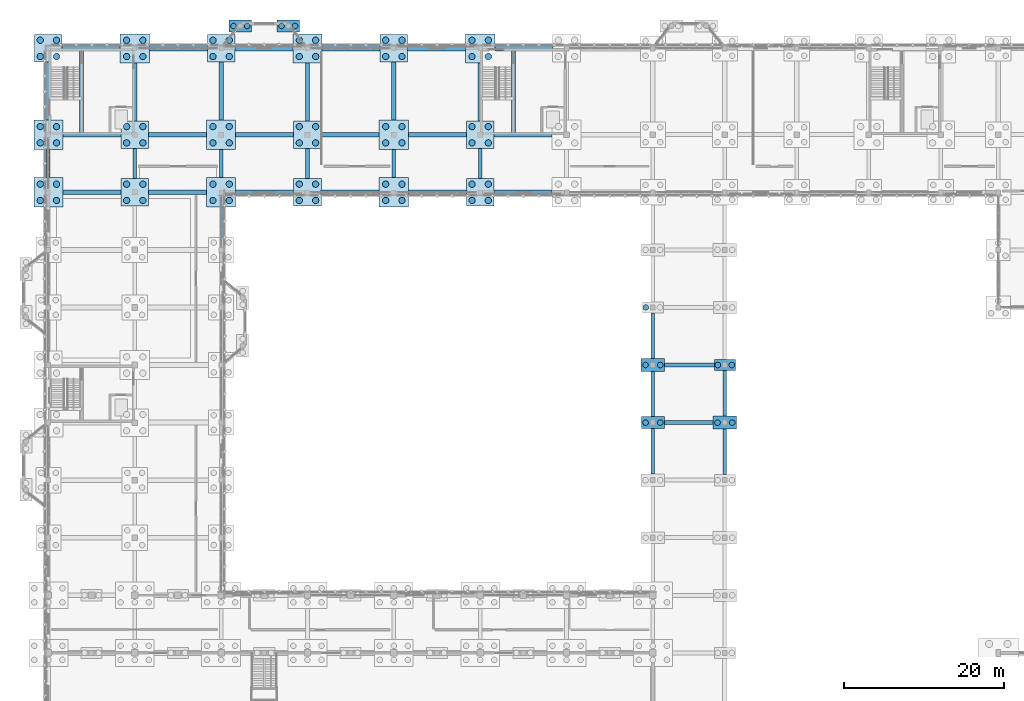
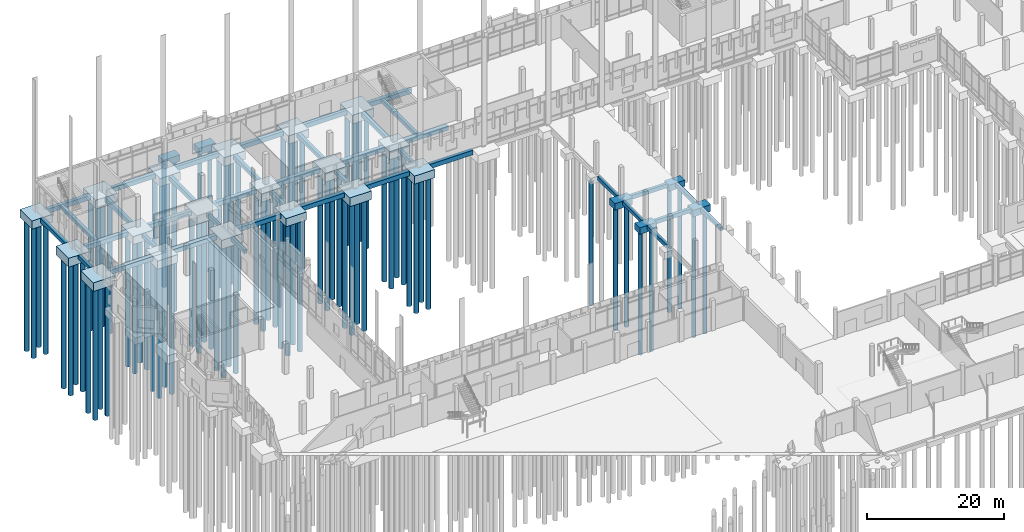
# One storey, part 5 of 109: 85 piles, 64 footings.
"""IFC4 building model written with IfcOpenShell, lengths in metres."""

import ifcopenshell
import ifcopenshell.guid

model = None  # the IFC model being written
_history = None  # IfcOwnerHistory: only IFC2X3 demands one
_inside = {}  # id of a spatial element -> (the spatial element, [elements in it])
_under = {}  # id of a project, library or spatial element -> (it, [spatial elements below it])
_declared = {}  # id of a project -> (the project, [libraries it declares])
_typed = {}  # id of a type object -> (the type object, [elements of that type])
_made_of = {}  # id of a material, layer set ... -> (it, [elements and type objects made of it])


def new_model(schema):
    """Start an empty IFC model of exactly this schema.

    Asked for "IFC4X3", IfcOpenShell would pick the latest addendum, in which some entities
    have other attributes; the version numbers below select the first issue.
    IFC2X3 requires an IfcOwnerHistory on every rooted entity: one is made here for all.
    """
    global model, _history
    if schema == "IFC4X3":
        model = ifcopenshell.file(schema_version=(4, 3, 0, 0))
    else:
        model = ifcopenshell.file(schema=schema)
    _inside.clear()
    _under.clear()
    _declared.clear()
    _typed.clear()
    _made_of.clear()
    _history = None
    if model.schema == "IFC2X3":
        org = make("IfcOrganization", Name="unknown")
        user = make(
            "IfcPersonAndOrganization",
            ThePerson=make("IfcPerson", FamilyName="unknown"),
            TheOrganization=org,
        )
        app = make(
            "IfcApplication",
            ApplicationDeveloper=org,
            Version="unknown",
            ApplicationFullName="unknown",
            ApplicationIdentifier="unknown",
        )
        _history = make(
            "IfcOwnerHistory",
            OwningUser=user,
            OwningApplication=app,
            ChangeAction="ADDED",
            CreationDate=0,
        )
    return model


def make(cls, **values):
    """One entity of the class cls with the attributes given. An attribute that is None is left unset."""
    return model.create_entity(
        cls, **{name: value for name, value in values.items() if value is not None}
    )


def rooted(cls, **values):
    """An entity with a GlobalId (a new one), such as an element, a storey or a relation."""
    return make(cls, GlobalId=ifcopenshell.guid.new(), OwnerHistory=_history, **values)


def si_unit(unit_type, name, prefix=None):
    """IfcSIUnit, for example si_unit("LENGTHUNIT", "METRE", prefix="MILLI")."""
    return make("IfcSIUnit", UnitType=unit_type, Prefix=prefix, Name=name)


def assignment(units):
    """IfcUnitAssignment: the units of a project."""
    return None if units is None else make("IfcUnitAssignment", Units=units)


def point(xyz):
    """IfcCartesianPoint."""
    return None if xyz is None else make("IfcCartesianPoint", Coordinates=xyz)


def direction(xyz):
    """IfcDirection."""
    return None if xyz is None else make("IfcDirection", DirectionRatios=xyz)


def frame(location, z_axis=None, x_axis=None):
    """IfcAxis2Placement3D, a coordinate frame: its origin and axes. An axis left out is left unset."""
    return make(
        "IfcAxis2Placement3D",
        Location=point(location),
        Axis=direction(z_axis),
        RefDirection=direction(x_axis),
    )


def frame_2d(location, x_axis=None):
    """IfcAxis2Placement2D, a coordinate frame in the plane: its origin and x axis."""
    return make(
        "IfcAxis2Placement2D", Location=point(location), RefDirection=direction(x_axis)
    )


def origin():
    """The frame at (0, 0, 0) with its axes left unset."""
    return frame((0.0, 0.0, 0.0))


def origin_2d():
    """The frame at (0, 0) in the plane with its x axis left unset."""
    return frame_2d((0.0, 0.0))


def place(relative_to, where):
    """IfcLocalPlacement: puts the frame where relative to a parent placement (None: the world)."""
    return make(
        "IfcLocalPlacement", PlacementRelTo=relative_to, RelativePlacement=where
    )


def context(
    kind, dimensions, precision=None, world=None, true_north=None, identifier=None
):
    """IfcGeometricRepresentationContext, for example the 3D "Model" context."""
    return make(
        "IfcGeometricRepresentationContext",
        ContextIdentifier=identifier,
        ContextType=kind,
        CoordinateSpaceDimension=dimensions,
        Precision=precision,
        WorldCoordinateSystem=world,
        TrueNorth=true_north,
    )


def subcontext(parent, identifier, kind, view, scale=None):
    """IfcGeometricRepresentationSubContext, for example "Body" below "Model"."""
    return make(
        "IfcGeometricRepresentationSubContext",
        ContextIdentifier=identifier,
        ContextType=kind,
        ParentContext=parent,
        TargetScale=scale,
        TargetView=view,
    )


def project(units=None, contexts=None):
    """IfcProject with its units and contexts."""
    return rooted(
        "IfcProject",
        Name="project",
        RepresentationContexts=contexts,
        UnitsInContext=assignment(units),
    )


def spatial(cls, under=None, at=None, **own):
    """A site, building, storey or space (cls), placed at a placement, below another one or the project."""
    s = rooted(cls, ObjectPlacement=at, **own)
    if under is not None:
        _under.setdefault(under.id(), (under, []))[1].append(s)
    return s


def profile(cls, at=None, kind="AREA", **sizes):
    """A parametric profile (cls). Its sizes go by their IFC names, for example OverallWidth=200.0."""
    return make(cls, ProfileType=kind, Position=at, **sizes)


def rectangle(**sizes):
    """IfcRectangleProfileDef."""
    return profile("IfcRectangleProfileDef", **sizes)


def circle(**sizes):
    """IfcCircleProfileDef."""
    return profile("IfcCircleProfileDef", **sizes)


def extrude(swept, where, along, depth):
    """IfcExtrudedAreaSolid: the profile swept, set in the frame where, extruded along a direction by depth."""
    return make(
        "IfcExtrudedAreaSolid",
        SweptArea=swept,
        Position=where,
        ExtrudedDirection=direction(along),
        Depth=depth,
    )


def shape(context_of_items, identifier, shape_type, items):
    """IfcShapeRepresentation: the items that make up one representation, for example the "Body"."""
    return make(
        "IfcShapeRepresentation",
        ContextOfItems=context_of_items,
        RepresentationIdentifier=identifier,
        RepresentationType=shape_type,
        Items=items,
    )


def material(Name=None, Category=None):
    """IfcMaterial."""
    return make("IfcMaterial", Name=Name, Category=Category)


def material_profile(
    of_material, cross_section, Name=None, Category=None, Priority=None
):
    """IfcMaterialProfile: a cross section and its material."""
    return make(
        "IfcMaterialProfile",
        Name=Name,
        Material=of_material,
        Profile=cross_section,
        Priority=Priority,
        Category=Category,
    )


def profile_set(profiles, Name=None, composite=None):
    """IfcMaterialProfileSet."""
    return make(
        "IfcMaterialProfileSet",
        Name=Name,
        MaterialProfiles=profiles,
        CompositeProfile=composite,
    )


def made_of(thing, what):
    """Note that an element or type object is made of a material, layer set ...; save() writes the relation."""
    if what is not None:
        _made_of.setdefault(what.id(), (what, []))[1].append(thing)
    return thing


def type_object(cls, material=None, **own):
    """A type object (cls), such as IfcWallType, which elements share."""
    return made_of(rooted(cls, **own), material)


def element(
    cls,
    number,
    at=None,
    inside=None,
    cuts=None,
    type_object=None,
    material=None,
    context=None,
    identifier="Body",
    shape_type=None,
    held_by="IfcProductDefinitionShape",
    body=None,
    shapes=None,
    **own,
):
    """One element of the class cls, such as IfcWall. Its Tag is "e" and its number.

    at: its placement. inside: the storey or other place that contains it. cuts: it is an
    opening in that element (IfcRelVoidsElement). A single representation is given by context,
    identifier, shape_type and body (its items); several are given by shapes. held_by: the class
    of the entity that holds the representations. save() writes the other relations.
    """
    e = rooted(cls, Tag="e%d" % number, ObjectPlacement=at, **own)
    if body is not None:
        shapes = [shape(context, identifier, shape_type, body)]
    if shapes is not None:
        e.Representation = make(held_by, Representations=shapes)
    if inside is not None:
        _inside.setdefault(inside.id(), (inside, []))[1].append(e)
    if cuts is not None:
        rooted(
            "IfcRelVoidsElement", RelatingBuildingElement=cuts, RelatedOpeningElement=e
        )
    if type_object is not None:
        _typed.setdefault(type_object.id(), (type_object, []))[1].append(e)
    return made_of(e, material)


def aggregate(whole, parts):
    """IfcRelAggregates: a whole, such as a stair, and the parts it consists of."""
    return rooted("IfcRelAggregates", RelatingObject=whole, RelatedObjects=parts)


def save(model, path):
    """Write the relations noted so far, then the file.

    IfcRelAggregates (storeys below a building ...), IfcRelContainedInSpatialStructure (elements
    in a storey), IfcRelDefinesByType, IfcRelAssociatesMaterial and IfcRelDeclares: one each for
    every whole, place, type object, material and project.
    """
    for whole, parts in _under.values():
        aggregate(whole, parts)
    for where, things in _inside.values():
        rooted(
            "IfcRelContainedInSpatialStructure",
            RelatedElements=things,
            RelatingStructure=where,
        )
    for kind, things in _typed.values():
        rooted("IfcRelDefinesByType", RelatedObjects=things, RelatingType=kind)
    for what, things in _made_of.values():
        rooted("IfcRelAssociatesMaterial", RelatedObjects=things, RelatingMaterial=what)
    for by, libraries in _declared.values():
        rooted("IfcRelDeclares", RelatingContext=by, RelatedDefinitions=libraries)
    model.write(path)


model = new_model("IFC4")

# Units and contexts
model_context = context("Model", 3, precision=1e-05, world=origin(), true_north=direction((0.0, 1.0)))
body_context = subcontext(model_context, "Body", "Model", "MODEL_VIEW")
ifc_project = project(units=[si_unit("LENGTHUNIT", "METRE"), si_unit("AREAUNIT", "SQUARE_METRE"), si_unit("VOLUMEUNIT", "CUBIC_METRE"), si_unit("PLANEANGLEUNIT", "RADIAN"), si_unit("MASSUNIT", "GRAM", prefix="KILO")], contexts=[model_context])

# Site, building, storey
site_placement = place(None, origin())
site = spatial("IfcSite", under=ifc_project, at=site_placement, CompositionType="ELEMENT")
building_placement = place(site_placement, origin())
building = spatial("IfcBuilding", under=site, at=building_placement, Name="Lusvemor Sports Hall", CompositionType="ELEMENT")
storey_placement = place(building_placement, origin())
storey = spatial("IfcBuildingStorey", under=building, at=storey_placement, Name="L00", CompositionType="ELEMENT", Elevation=0.0)

# Footings
ifc_material_1 = material(Name="Concrete C40/50", Category="concrete")
ifc_material_profile_1 = material_profile(ifc_material_1, rectangle(XDim=0.449951171875, YDim=0.64990234375, at=origin_2d()), Name="GB_450x650")
ifc_profile_set_1 = profile_set([ifc_material_profile_1], Name="Concrete C40/50")
footing_type_1 = type_object("IfcFootingType", Name="GBEAM_450x650", PredefinedType="FOOTING_BEAM", material=ifc_profile_set_1)
footing_1_placement = place(storey_placement, frame((0.0, 99.02294921875, -0.625), z_axis=(0.0, 1.0, 0.0), x_axis=(-1.0, 0.0, 0.0)))
element("IfcFooting", 1, at=footing_1_placement, inside=storey, type_object=footing_type_1, Name="Ground Tie Beam 1:N-P", PredefinedType="FOOTING_BEAM", context=body_context, shape_type="SweptSolid", body=[
    extrude(rectangle(XDim=0.449951171875, YDim=0.64990234375, at=origin_2d()), origin(), (0.0, 0.0, 1.0), 3.553955078125),
])
footing_2_placement = place(storey_placement, frame((10.800048828125, 98.923095703125, -0.625), z_axis=(0.0, 1.0, 0.0), x_axis=(-1.0, 0.0, 0.0)))
element("IfcFooting", 2, at=footing_2_placement, inside=storey, type_object=footing_type_1, Name="Ground Tie Beam 2:N-P", PredefinedType="FOOTING_BEAM", context=body_context, shape_type="SweptSolid", body=[
    extrude(rectangle(XDim=0.449951171875, YDim=0.64990234375, at=origin_2d()), origin(), (0.0, 0.0, 1.0), 3.75390625),
])
footing_3_placement = place(storey_placement, frame((21.60009765625, 91.572998046875, -0.625), z_axis=(0.0, 1.0, 0.0), x_axis=(-1.0, 0.0, 0.0)))
element("IfcFooting", 3, at=footing_3_placement, inside=storey, type_object=footing_type_1, Name="Ground Tie Beam 3:M-N", PredefinedType="FOOTING_BEAM", context=body_context, shape_type="SweptSolid", body=[
    extrude(rectangle(XDim=0.449951171875, YDim=0.64990234375, at=origin_2d()), origin(), (0.0, 0.0, 1.0), 3.803955078125),
])
footing_4_placement = place(storey_placement, frame((21.60009765625, 99.02294921875, -0.625), z_axis=(0.0, 1.0, 0.0), x_axis=(-1.0, 0.0, 0.0)))
element("IfcFooting", 4, at=footing_4_placement, inside=storey, type_object=footing_type_1, Name="Ground Tie Beam 3:N-P", PredefinedType="FOOTING_BEAM", context=body_context, shape_type="SweptSolid", body=[
    extrude(rectangle(XDim=0.449951171875, YDim=0.64990234375, at=origin_2d()), origin(), (0.0, 0.0, 1.0), 3.553955078125),
])
footing_5_placement = place(storey_placement, frame((32.39990234375, 98.923095703125, -0.625), z_axis=(0.0, 1.0, 0.0), x_axis=(-1.0, 0.0, 0.0)))
element("IfcFooting", 5, at=footing_5_placement, inside=storey, type_object=footing_type_1, Name="Ground Tie Beam 4:N-P", PredefinedType="FOOTING_BEAM", context=body_context, shape_type="SweptSolid", body=[
    extrude(rectangle(XDim=0.449951171875, YDim=0.64990234375, at=origin_2d()), origin(), (0.0, 0.0, 1.0), 3.75390625),
])
footing_6_placement = place(storey_placement, frame((43.199951171875, 99.02294921875, -0.625), z_axis=(0.0, 1.0, 0.0), x_axis=(-1.0, 0.0, 0.0)))
element("IfcFooting", 6, at=footing_6_placement, inside=storey, type_object=footing_type_1, Name="Ground Tie Beam 5:N-P", PredefinedType="FOOTING_BEAM", context=body_context, shape_type="SweptSolid", body=[
    extrude(rectangle(XDim=0.449951171875, YDim=0.64990234375, at=origin_2d()), origin(), (0.0, 0.0, 1.0), 3.553955078125),
])
footing_7_placement = place(storey_placement, frame((54.0, 98.923095703125, -0.625), z_axis=(0.0, 1.0, 0.0), x_axis=(-1.0, 0.0, 0.0)))
element("IfcFooting", 7, at=footing_7_placement, inside=storey, type_object=footing_type_1, Name="Ground Tie Beam 6:N-P", PredefinedType="FOOTING_BEAM", context=body_context, shape_type="SweptSolid", body=[
    extrude(rectangle(XDim=0.449951171875, YDim=0.64990234375, at=origin_2d()), origin(), (0.0, 0.0, 1.0), 3.75390625),
])
for number, where, z_axis, x_axis, name in (
    (8, (75.60009765625, 61.998046875, -0.625), (0.0, 1.0, 0.0), (-1.0, 0.0, 0.0), "Ground Tie Beam 8:H-J"),
    (9, (75.60009765625, 69.14794921875, -0.625), (0.0, 1.0, 0.0), (-1.0, 0.0, 0.0), "Ground Tie Beam 8:J-K"),
):
    element("IfcFooting", number, at=place(storey_placement, frame(where, z_axis=z_axis, x_axis=x_axis)), inside=storey, type_object=footing_type_1, Name=name, PredefinedType="FOOTING_BEAM", context=body_context, shape_type="SweptSolid", body=[
        extrude(rectangle(XDim=0.449951171875, YDim=0.64990234375, at=origin_2d()), origin(), (0.0, 0.0, 1.0), 5.654052734375),
    ])
for number, where, z_axis, x_axis, name in (
    (10, (75.60009765625, 76.39794921875, -0.625), (0.0, 1.0, 0.0), (-1.0, 0.0, 0.0), "Ground Tie Beam 8:K-L"),
    (11, (84.60009765625, 61.89794921875, -0.625), (0.0, 1.0, 0.0), (-1.0, 0.0, 0.0), "Ground Tie Beam 9:H-J"),
    (12, (84.60009765625, 69.197998046875, -0.625), (0.0, 1.0, 0.0), (-1.0, 0.0, 0.0), "Ground Tie Beam 9:J-K"),
):
    element("IfcFooting", number, at=place(storey_placement, frame(where, z_axis=z_axis, x_axis=x_axis)), inside=storey, type_object=footing_type_1, Name=name, PredefinedType="FOOTING_BEAM", context=body_context, shape_type="SweptSolid", body=[
        extrude(rectangle(XDim=0.449951171875, YDim=0.64990234375, at=origin_2d()), origin(), (0.0, 0.0, 1.0), 5.7041015625),
    ])
ifc_material_2 = material(Name="Concrete C40/50", Category="concrete")
ifc_material_profile_2 = material_profile(ifc_material_2, rectangle(XDim=0.5, YDim=0.699951171875, at=origin_2d()), Name="GB_500x700")
ifc_profile_set_2 = profile_set([ifc_material_profile_2], Name="Concrete C40/50")
footing_type_2 = type_object("IfcFootingType", Name="GBEAM_500x700", PredefinedType="FOOTING_BEAM", material=ifc_profile_set_2)
footing_8_placement = place(storey_placement, frame((77.02294921875, 68.39990234375, -0.64990234375), z_axis=(1.0, 0.0, 0.0), x_axis=(0.0, 1.0, 0.0)))
element("IfcFooting", 13, at=footing_8_placement, inside=storey, type_object=footing_type_2, Name="Ground Tie Beam J:8-9", PredefinedType="FOOTING_BEAM", context=body_context, shape_type="SweptSolid", body=[
    extrude(rectangle(XDim=0.5, YDim=0.699951171875, at=origin_2d()), origin(), (0.0, 0.0, 1.0), 6.10400390625),
])
footing_9_placement = place(storey_placement, frame((77.072998046875, 75.60009765625, -0.64990234375), z_axis=(1.0, 0.0, 0.0), x_axis=(0.0, 1.0, 0.0)))
element("IfcFooting", 14, at=footing_9_placement, inside=storey, type_object=footing_type_2, Name="Ground Tie Beam K:8-9", PredefinedType="FOOTING_BEAM", context=body_context, shape_type="SweptSolid", body=[
    extrude(rectangle(XDim=0.5, YDim=0.699951171875, at=origin_2d()), origin(), (0.0, 0.0, 1.0), 6.2041015625),
])
for number, where, z_axis, x_axis, name in (
    (15, (4.14990234375, 104.39990234375, -0.64990234375), (0.0, 1.0, 0.0), (-1.0, 0.0, 0.0), "Core C1 Northwest Divider Ground Beam"),
    (16, (58.14990234375, 104.39990234375, -0.64990234375), (0.0, 1.0, 0.0), (-1.0, 0.0, 0.0), "Core C2 North-West-Mid Divider Ground Beam"),
):
    element("IfcFooting", number, at=place(storey_placement, frame(where, z_axis=z_axis, x_axis=x_axis)), inside=storey, type_object=footing_type_2, Name=name, PredefinedType="FOOTING_BEAM", context=body_context, shape_type="SweptSolid", body=[
        extrude(rectangle(XDim=0.5, YDim=0.699951171875, at=origin_2d()), origin(), (0.0, 0.0, 1.0), 10.800048828125),
    ])
ifc_material_3 = material(Name="Concrete C40/50", Category="concrete")
ifc_material_profile_3 = material_profile(ifc_material_3, rectangle(XDim=0.550048828125, YDim=0.75, at=origin_2d()), Name="GB_550x750")
ifc_profile_set_3 = profile_set([ifc_material_profile_3], Name="Concrete C40/50")
footing_type_3 = type_object("IfcFootingType", Name="GBEAM_550x750", PredefinedType="FOOTING_BEAM", material=ifc_profile_set_3)
footing_10_placement = place(storey_placement, frame((0.0, 106.222900390625, -0.675048828125), z_axis=(0.0, 1.0, 0.0), x_axis=(-1.0, 0.0, 0.0)))
element("IfcFooting", 17, at=footing_10_placement, inside=storey, type_object=footing_type_3, Name="Ground Tie Beam 1:P-Q", PredefinedType="FOOTING_BEAM", context=body_context, shape_type="SweptSolid", body=[
    extrude(rectangle(XDim=0.550048828125, YDim=0.75, at=origin_2d()), origin(), (0.0, 0.0, 1.0), 7.254150390625),
])
footing_11_placement = place(storey_placement, frame((10.800048828125, 106.123046875, -0.675048828125), z_axis=(0.0, 1.0, 0.0), x_axis=(-1.0, 0.0, 0.0)))
element("IfcFooting", 18, at=footing_11_placement, inside=storey, type_object=footing_type_3, Name="Ground Tie Beam 2:P-Q", PredefinedType="FOOTING_BEAM", context=body_context, shape_type="SweptSolid", body=[
    extrude(rectangle(XDim=0.550048828125, YDim=0.75, at=origin_2d()), origin(), (0.0, 0.0, 1.0), 7.25390625),
])
footing_12_placement = place(storey_placement, frame((21.60009765625, 106.222900390625, -0.675048828125), z_axis=(0.0, 1.0, 0.0), x_axis=(-1.0, 0.0, 0.0)))
element("IfcFooting", 19, at=footing_12_placement, inside=storey, type_object=footing_type_3, Name="Ground Tie Beam 3:P-Q", PredefinedType="FOOTING_BEAM", context=body_context, shape_type="SweptSolid", body=[
    extrude(rectangle(XDim=0.550048828125, YDim=0.75, at=origin_2d()), origin(), (0.0, 0.0, 1.0), 7.254150390625),
])
footing_13_placement = place(storey_placement, frame((32.39990234375, 106.123046875, -0.675048828125), z_axis=(0.0, 1.0, 0.0), x_axis=(-1.0, 0.0, 0.0)))
element("IfcFooting", 20, at=footing_13_placement, inside=storey, type_object=footing_type_3, Name="Ground Tie Beam 4:P-Q", PredefinedType="FOOTING_BEAM", context=body_context, shape_type="SweptSolid", body=[
    extrude(rectangle(XDim=0.550048828125, YDim=0.75, at=origin_2d()), origin(), (0.0, 0.0, 1.0), 7.25390625),
])
footing_14_placement = place(storey_placement, frame((43.199951171875, 106.222900390625, -0.675048828125), z_axis=(0.0, 1.0, 0.0), x_axis=(-1.0, 0.0, 0.0)))
element("IfcFooting", 21, at=footing_14_placement, inside=storey, type_object=footing_type_3, Name="Ground Tie Beam 5:P-Q", PredefinedType="FOOTING_BEAM", context=body_context, shape_type="SweptSolid", body=[
    extrude(rectangle(XDim=0.550048828125, YDim=0.75, at=origin_2d()), origin(), (0.0, 0.0, 1.0), 7.254150390625),
])
footing_15_placement = place(storey_placement, frame((54.0, 106.123046875, -0.675048828125), z_axis=(0.0, 1.0, 0.0), x_axis=(-1.0, 0.0, 0.0)))
element("IfcFooting", 22, at=footing_15_placement, inside=storey, type_object=footing_type_3, Name="Ground Tie Beam 6:P-Q", PredefinedType="FOOTING_BEAM", context=body_context, shape_type="SweptSolid", body=[
    extrude(rectangle(XDim=0.550048828125, YDim=0.75, at=origin_2d()), origin(), (0.0, 0.0, 1.0), 7.25390625),
])
ifc_material_4 = material(Name="Concrete C40/50", Category="concrete")
ifc_material_profile_4 = material_profile(ifc_material_4, rectangle(XDim=0.60009765625, YDim=0.800048828125, at=origin_2d()), Name="GB_600x800")
ifc_profile_set_4 = profile_set([ifc_material_profile_4], Name="Concrete C40/50")
footing_type_4 = type_object("IfcFootingType", Name="GBEAM_600x800", PredefinedType="FOOTING_BEAM", material=ifc_profile_set_4)
footing_16_placement = place(storey_placement, frame((1.822998046875, 97.199951171875, -0.699951171875), z_axis=(1.0, 0.0, 0.0), x_axis=(0.0, 1.0, 0.0)))
element("IfcFooting", 23, at=footing_16_placement, inside=storey, type_object=footing_type_4, Name="Ground Tie Beam N:1-2", PredefinedType="FOOTING_BEAM", context=body_context, shape_type="SweptSolid", body=[
    extrude(rectangle(XDim=0.60009765625, YDim=0.800048828125, at=origin_2d()), origin(), (0.0, 0.0, 1.0), 7.25390625),
])
footing_17_placement = place(storey_placement, frame((12.52294921875, 97.199951171875, -0.699951171875), z_axis=(1.0, 0.0, 0.0), x_axis=(0.0, 1.0, 0.0)))
element("IfcFooting", 24, at=footing_17_placement, inside=storey, type_object=footing_type_4, Name="Ground Tie Beam N:2-3", PredefinedType="FOOTING_BEAM", context=body_context, shape_type="SweptSolid", body=[
    extrude(rectangle(XDim=0.60009765625, YDim=0.800048828125, at=origin_2d()), origin(), (0.0, 0.0, 1.0), 7.254150390625),
])
for number, where, z_axis, x_axis, name in (
    (25, (23.423095703125, 97.199951171875, -0.699951171875), (1.0, 0.0, 0.0), (0.0, 1.0, 0.0), "Ground Tie Beam N:3-4"),
    (26, (34.123046875, 97.199951171875, -0.699951171875), (1.0, 0.0, 0.0), (0.0, 1.0, 0.0), "Ground Tie Beam N:4-5"),
):
    element("IfcFooting", number, at=place(storey_placement, frame(where, z_axis=z_axis, x_axis=x_axis)), inside=storey, type_object=footing_type_4, Name=name, PredefinedType="FOOTING_BEAM", context=body_context, shape_type="SweptSolid", body=[
        extrude(rectangle(XDim=0.60009765625, YDim=0.800048828125, at=origin_2d()), origin(), (0.0, 0.0, 1.0), 7.25390625),
    ])
for number, where, z_axis, x_axis, name in (
    (27, (45.02294921875, 97.199951171875, -0.699951171875), (1.0, 0.0, 0.0), (0.0, 1.0, 0.0), "Ground Tie Beam N:5-6"),
    (28, (55.722900390625, 97.199951171875, -0.699951171875), (1.0, 0.0, 0.0), (0.0, 1.0, 0.0), "Ground Tie Beam N:6-7"),
):
    element("IfcFooting", number, at=place(storey_placement, frame(where, z_axis=z_axis, x_axis=x_axis)), inside=storey, type_object=footing_type_4, Name=name, PredefinedType="FOOTING_BEAM", context=body_context, shape_type="SweptSolid", body=[
        extrude(rectangle(XDim=0.60009765625, YDim=0.800048828125, at=origin_2d()), origin(), (0.0, 0.0, 1.0), 7.254150390625),
    ])
footing_18_placement = place(storey_placement, frame((1.822998046875, 104.39990234375, -0.699951171875), z_axis=(1.0, 0.0, 0.0), x_axis=(0.0, 1.0, 0.0)))
element("IfcFooting", 29, at=footing_18_placement, inside=storey, type_object=footing_type_4, Name="Ground Tie Beam P:1-2", PredefinedType="FOOTING_BEAM", context=body_context, shape_type="SweptSolid", body=[
    extrude(rectangle(XDim=0.60009765625, YDim=0.800048828125, at=origin_2d()), origin(), (0.0, 0.0, 1.0), 7.25390625),
])
footing_19_placement = place(storey_placement, frame((12.52294921875, 104.39990234375, -0.699951171875), z_axis=(1.0, 0.0, 0.0), x_axis=(0.0, 1.0, 0.0)))
element("IfcFooting", 30, at=footing_19_placement, inside=storey, type_object=footing_type_4, Name="Ground Tie Beam P:2-3", PredefinedType="FOOTING_BEAM", context=body_context, shape_type="SweptSolid", body=[
    extrude(rectangle(XDim=0.60009765625, YDim=0.800048828125, at=origin_2d()), origin(), (0.0, 0.0, 1.0), 7.254150390625),
])
for number, where, z_axis, x_axis, name in (
    (31, (23.423095703125, 104.39990234375, -0.699951171875), (1.0, 0.0, 0.0), (0.0, 1.0, 0.0), "Ground Tie Beam P:3-4"),
    (32, (34.123046875, 104.39990234375, -0.699951171875), (1.0, 0.0, 0.0), (0.0, 1.0, 0.0), "Ground Tie Beam P:4-5"),
):
    element("IfcFooting", number, at=place(storey_placement, frame(where, z_axis=z_axis, x_axis=x_axis)), inside=storey, type_object=footing_type_4, Name=name, PredefinedType="FOOTING_BEAM", context=body_context, shape_type="SweptSolid", body=[
        extrude(rectangle(XDim=0.60009765625, YDim=0.800048828125, at=origin_2d()), origin(), (0.0, 0.0, 1.0), 7.25390625),
    ])
for number, where, z_axis, x_axis, name in (
    (33, (45.02294921875, 104.39990234375, -0.699951171875), (1.0, 0.0, 0.0), (0.0, 1.0, 0.0), "Ground Tie Beam P:5-6"),
    (34, (55.722900390625, 104.39990234375, -0.699951171875), (1.0, 0.0, 0.0), (0.0, 1.0, 0.0), "Ground Tie Beam P:6-7"),
    (35, (1.722900390625, 115.199951171875, -0.699951171875), (1.0, 0.0, 0.0), (0.0, 1.0, 0.0), "Ground Tie Beam Q:1-2"),
):
    element("IfcFooting", number, at=place(storey_placement, frame(where, z_axis=z_axis, x_axis=x_axis)), inside=storey, type_object=footing_type_4, Name=name, PredefinedType="FOOTING_BEAM", context=body_context, shape_type="SweptSolid", body=[
        extrude(rectangle(XDim=0.60009765625, YDim=0.800048828125, at=origin_2d()), origin(), (0.0, 0.0, 1.0), 7.254150390625),
    ])
for number, where, z_axis, x_axis, name in (
    (36, (12.623046875, 115.199951171875, -0.699951171875), (1.0, 0.0, 0.0), (0.0, 1.0, 0.0), "Ground Tie Beam Q:2-3"),
    (37, (23.322998046875, 115.199951171875, -0.699951171875), (1.0, 0.0, 0.0), (0.0, 1.0, 0.0), "Ground Tie Beam Q:3-4"),
):
    element("IfcFooting", number, at=place(storey_placement, frame(where, z_axis=z_axis, x_axis=x_axis)), inside=storey, type_object=footing_type_4, Name=name, PredefinedType="FOOTING_BEAM", context=body_context, shape_type="SweptSolid", body=[
        extrude(rectangle(XDim=0.60009765625, YDim=0.800048828125, at=origin_2d()), origin(), (0.0, 0.0, 1.0), 7.25390625),
    ])
footing_20_placement = place(storey_placement, frame((34.222900390625, 115.199951171875, -0.699951171875), z_axis=(1.0, 0.0, 0.0), x_axis=(0.0, 1.0, 0.0)))
element("IfcFooting", 38, at=footing_20_placement, inside=storey, type_object=footing_type_4, Name="Ground Tie Beam Q:4-5", PredefinedType="FOOTING_BEAM", context=body_context, shape_type="SweptSolid", body=[
    extrude(rectangle(XDim=0.60009765625, YDim=0.800048828125, at=origin_2d()), origin(), (0.0, 0.0, 1.0), 7.254150390625),
])
for number, where, z_axis, x_axis, name in (
    (39, (44.923095703125, 115.199951171875, -0.699951171875), (1.0, 0.0, 0.0), (0.0, 1.0, 0.0), "Ground Tie Beam Q:5-6"),
    (40, (55.822998046875, 115.199951171875, -0.699951171875), (1.0, 0.0, 0.0), (0.0, 1.0, 0.0), "Ground Tie Beam Q:6-7"),
):
    element("IfcFooting", number, at=place(storey_placement, frame(where, z_axis=z_axis, x_axis=x_axis)), inside=storey, type_object=footing_type_4, Name=name, PredefinedType="FOOTING_BEAM", context=body_context, shape_type="SweptSolid", body=[
        extrude(rectangle(XDim=0.60009765625, YDim=0.800048828125, at=origin_2d()), origin(), (0.0, 0.0, 1.0), 7.25390625),
    ])
ifc_material_5 = material(Name="Concrete C40/50", Category="concrete")
footing_type_5 = type_object("IfcFootingType", Name="PCAP_2P_A", PredefinedType="PILE_CAP", material=ifc_material_5)
footing_21_placement = place(storey_placement, frame((84.60009765625, 75.60009765625, -1.400146484375), z_axis=(0.0, 0.0, 1.0), x_axis=(1.0, 0.0, 0.0)))
element("IfcFooting", 41, at=footing_21_placement, inside=storey, type_object=footing_type_5, Name="Pile Cap 9/K", PredefinedType="PILE_CAP", context=body_context, shape_type="SweptSolid", body=[
    extrude(rectangle(XDim=2.64990234375, YDim=1.39990234375, at=origin_2d()), origin(), (0.0, 0.0, 1.0), 1.10009765625),
])
ifc_material_6 = material(Name="Concrete C40/50", Category="concrete")
footing_type_6 = type_object("IfcFootingType", Name="PCAP_2P_B", PredefinedType="PILE_CAP", material=ifc_material_6)
for number, where, z_axis, x_axis, name in (
    (42, (75.60009765625, 68.39990234375, -1.449951171875), (0.0, 0.0, 1.0), (1.0, 0.0, 0.0), "Pile Cap 8/J"),
    (43, (24.0, 118.0, -1.449951171875), (0.0, 0.0, 1.0), (1.0, 0.0, 0.0), "Bow Pavilion Cap BOW-N1-1"),
    (44, (30.0, 118.0, -1.449951171875), (0.0, 0.0, 1.0), (1.0, 0.0, 0.0), "Bow Pavilion Cap BOW-N1-2"),
):
    element("IfcFooting", number, at=place(storey_placement, frame(where, z_axis=z_axis, x_axis=x_axis)), inside=storey, type_object=footing_type_6, Name=name, PredefinedType="PILE_CAP", context=body_context, shape_type="SweptSolid", body=[
        extrude(rectangle(XDim=2.85009765625, YDim=1.5, at=origin_2d()), origin(), (0.0, 0.0, 1.0), 1.14990234375),
    ])
ifc_material_7 = material(Name="Concrete C40/50", Category="concrete")
footing_type_7 = type_object("IfcFootingType", Name="PCAP_2P_C", PredefinedType="PILE_CAP", material=ifc_material_7)
for number, where, z_axis, x_axis, name in (
    (45, (75.60009765625, 75.60009765625, -1.5), (0.0, 0.0, 1.0), (1.0, 0.0, 0.0), "Pile Cap 8/K"),
    (46, (84.60009765625, 68.39990234375, -1.5), (0.0, 0.0, 1.0), (1.0, 0.0, 0.0), "Pile Cap 9/J"),
):
    element("IfcFooting", number, at=place(storey_placement, frame(where, z_axis=z_axis, x_axis=x_axis)), inside=storey, type_object=footing_type_7, Name=name, PredefinedType="PILE_CAP", context=body_context, shape_type="SweptSolid", body=[
        extrude(rectangle(XDim=2.949951171875, YDim=1.60009765625, at=origin_2d()), origin(), (0.0, 0.0, 1.0), 1.199951171875),
    ])
ifc_material_8 = material(Name="Concrete C40/50", Category="concrete")
footing_type_8 = type_object("IfcFootingType", Name="PCAP_4P_B", PredefinedType="PILE_CAP", material=ifc_material_8)
for number, where, z_axis, x_axis, name in (
    (47, (0.0, 115.199951171875, -1.75), (0.0, 0.0, 1.0), (1.0, 0.0, 0.0), "Pile Cap 1/Q"),
    (48, (10.800048828125, 97.199951171875, -1.75), (0.0, 0.0, 1.0), (1.0, 0.0, 0.0), "Pile Cap 2/N"),
    (49, (10.800048828125, 104.39990234375, -1.75), (0.0, 0.0, 1.0), (1.0, 0.0, 0.0), "Pile Cap 2/P"),
    (50, (21.60009765625, 115.199951171875, -1.75), (0.0, 0.0, 1.0), (1.0, 0.0, 0.0), "Pile Cap 3/Q"),
    (51, (32.39990234375, 97.199951171875, -1.75), (0.0, 0.0, 1.0), (1.0, 0.0, 0.0), "Pile Cap 4/N"),
    (52, (32.39990234375, 104.39990234375, -1.75), (0.0, 0.0, 1.0), (1.0, 0.0, 0.0), "Pile Cap 4/P"),
    (53, (43.199951171875, 115.199951171875, -1.75), (0.0, 0.0, 1.0), (1.0, 0.0, 0.0), "Pile Cap 5/Q"),
    (54, (54.0, 97.199951171875, -1.75), (0.0, 0.0, 1.0), (1.0, 0.0, 0.0), "Pile Cap 6/N"),
    (55, (54.0, 104.39990234375, -1.75), (0.0, 0.0, 1.0), (1.0, 0.0, 0.0), "Pile Cap 6/P"),
):
    element("IfcFooting", number, at=place(storey_placement, frame(where, z_axis=z_axis, x_axis=x_axis)), inside=storey, type_object=footing_type_8, Name=name, PredefinedType="PILE_CAP", context=body_context, shape_type="SweptSolid", body=[
        extrude(rectangle(XDim=3.449951171875, YDim=3.449951171875, at=origin_2d()), origin(), (0.0, 0.0, 1.0), 1.449951171875),
    ])
ifc_material_9 = material(Name="Concrete C40/50", Category="concrete")
footing_type_9 = type_object("IfcFootingType", Name="PCAP_4P_C", PredefinedType="PILE_CAP", material=ifc_material_9)
for number, where, z_axis, x_axis, name in (
    (56, (0.0, 97.199951171875, -1.85009765625), (0.0, 0.0, 1.0), (1.0, 0.0, 0.0), "Pile Cap 1/N"),
    (57, (0.0, 104.39990234375, -1.85009765625), (0.0, 0.0, 1.0), (1.0, 0.0, 0.0), "Pile Cap 1/P"),
    (58, (10.800048828125, 115.199951171875, -1.85009765625), (0.0, 0.0, 1.0), (1.0, 0.0, 0.0), "Pile Cap 2/Q"),
    (59, (21.60009765625, 97.199951171875, -1.85009765625), (0.0, 0.0, 1.0), (1.0, 0.0, 0.0), "Pile Cap 3/N"),
    (60, (21.60009765625, 104.39990234375, -1.85009765625), (0.0, 0.0, 1.0), (1.0, 0.0, 0.0), "Pile Cap 3/P"),
    (61, (32.39990234375, 115.199951171875, -1.85009765625), (0.0, 0.0, 1.0), (1.0, 0.0, 0.0), "Pile Cap 4/Q"),
    (62, (43.199951171875, 97.199951171875, -1.85009765625), (0.0, 0.0, 1.0), (1.0, 0.0, 0.0), "Pile Cap 5/N"),
    (63, (43.199951171875, 104.39990234375, -1.85009765625), (0.0, 0.0, 1.0), (1.0, 0.0, 0.0), "Pile Cap 5/P"),
    (64, (54.0, 115.199951171875, -1.85009765625), (0.0, 0.0, 1.0), (1.0, 0.0, 0.0), "Pile Cap 6/Q"),
):
    element("IfcFooting", number, at=place(storey_placement, frame(where, z_axis=z_axis, x_axis=x_axis)), inside=storey, type_object=footing_type_9, Name=name, PredefinedType="PILE_CAP", context=body_context, shape_type="SweptSolid", body=[
        extrude(rectangle(XDim=3.64990234375, YDim=3.64990234375, at=origin_2d()), origin(), (0.0, 0.0, 1.0), 1.550048828125),
    ])

# Piles
ifc_material_10 = material(Name="Concrete C40/50", Category="concrete")
ifc_material_profile_5 = material_profile(ifc_material_10, circle(Radius=0.35009765625, at=origin_2d()), Name="PILE700")
ifc_profile_set_5 = profile_set([ifc_material_profile_5], Name="Concrete C40/50")
pile_type_1 = type_object("IfcPileType", Name="PILE_BORED_700", PredefinedType="BORED", material=ifc_profile_set_5)
for number, where, z_axis, x_axis, name in (
    (65, (74.679931640625, 68.39990234375, -1.35009765625), (0.0, 0.0, -1.0), (1.0, 0.0, 0.0), "Bored Pile 8/J-1"),
    (66, (76.52001953125, 68.39990234375, -1.35009765625), (0.0, 0.0, -1.0), (1.0, 0.0, 0.0), "Bored Pile 8/J-2"),
    (67, (74.679931640625, 75.60009765625, -1.39990234375), (0.0, 0.0, -1.0), (1.0, 0.0, 0.0), "Bored Pile 8/K-1"),
    (68, (76.52001953125, 75.60009765625, -1.39990234375), (0.0, 0.0, -1.0), (1.0, 0.0, 0.0), "Bored Pile 8/K-2"),
    (69, (74.719970703125, 82.800048828125, -1.300048828125), (0.0, 0.0, -1.0), (1.0, 0.0, 0.0), "Bored Pile 8/L-1"),
    (70, (83.679931640625, 68.39990234375, -1.39990234375), (0.0, 0.0, -1.0), (1.0, 0.0, 0.0), "Bored Pile 9/J-1"),
    (71, (85.52001953125, 68.39990234375, -1.39990234375), (0.0, 0.0, -1.0), (1.0, 0.0, 0.0), "Bored Pile 9/J-2"),
    (72, (83.719970703125, 75.60009765625, -1.300048828125), (0.0, 0.0, -1.0), (1.0, 0.0, 0.0), "Bored Pile 9/K-1"),
    (73, (85.47998046875, 75.60009765625, -1.300048828125), (0.0, 0.0, -1.0), (1.0, 0.0, 0.0), "Bored Pile 9/K-2"),
    (74, (23.14990234375, 118.0, -1.35009765625), (0.0, 0.0, -1.0), (1.0, 0.0, 0.0), "Bow Pavilion Pile BOW-N1-1-1"),
    (75, (24.85009765625, 118.0, -1.35009765625), (0.0, 0.0, -1.0), (1.0, 0.0, 0.0), "Bow Pavilion Pile BOW-N1-1-2"),
    (76, (29.14990234375, 118.0, -1.35009765625), (0.0, 0.0, -1.0), (1.0, 0.0, 0.0), "Bow Pavilion Pile BOW-N1-2-1"),
    (77, (30.85009765625, 118.0, -1.35009765625), (0.0, 0.0, -1.0), (1.0, 0.0, 0.0), "Bow Pavilion Pile BOW-N1-2-2"),
):
    element("IfcPile", number, at=place(storey_placement, frame(where, z_axis=z_axis, x_axis=x_axis)), inside=storey, type_object=pile_type_1, Name=name, PredefinedType="BORED", context=body_context, shape_type="SweptSolid", body=[
        extrude(circle(Radius=0.35009765625, at=origin_2d()), origin(), (0.0, 0.0, 1.0), 22.0),
    ])
ifc_material_11 = material(Name="Concrete C40/50", Category="concrete")
ifc_material_profile_6 = material_profile(ifc_material_11, circle(Radius=0.39990234375, at=origin_2d()), Name="PILE800")
ifc_profile_set_6 = profile_set([ifc_material_profile_6], Name="Concrete C40/50")
pile_type_2 = type_object("IfcPileType", Name="PILE_BORED_800", PredefinedType="BORED", material=ifc_profile_set_6)
for number, where, z_axis, x_axis, name in (
    (78, (-1.02001953125, 96.179931640625, -1.75), (0.0, 0.0, -1.0), (1.0, 0.0, 0.0), "Bored Pile 1/N-1"),
    (79, (1.02001953125, 96.179931640625, -1.75), (0.0, 0.0, -1.0), (1.0, 0.0, 0.0), "Bored Pile 1/N-2"),
    (80, (-1.02001953125, 98.219970703125, -1.75), (0.0, 0.0, -1.0), (1.0, 0.0, 0.0), "Bored Pile 1/N-3"),
    (81, (1.02001953125, 98.219970703125, -1.75), (0.0, 0.0, -1.0), (1.0, 0.0, 0.0), "Bored Pile 1/N-4"),
    (82, (-1.02001953125, 103.3798828125, -1.75), (0.0, 0.0, -1.0), (1.0, 0.0, 0.0), "Bored Pile 1/P-1"),
    (83, (1.02001953125, 103.3798828125, -1.75), (0.0, 0.0, -1.0), (1.0, 0.0, 0.0), "Bored Pile 1/P-2"),
    (84, (-1.02001953125, 105.419921875, -1.75), (0.0, 0.0, -1.0), (1.0, 0.0, 0.0), "Bored Pile 1/P-3"),
    (85, (1.02001953125, 105.419921875, -1.75), (0.0, 0.0, -1.0), (1.0, 0.0, 0.0), "Bored Pile 1/P-4"),
    (86, (-1.02001953125, 114.179931640625, -1.64990234375), (0.0, 0.0, -1.0), (1.0, 0.0, 0.0), "Bored Pile 1/Q-1"),
    (87, (1.02001953125, 114.179931640625, -1.64990234375), (0.0, 0.0, -1.0), (1.0, 0.0, 0.0), "Bored Pile 1/Q-2"),
    (88, (-1.02001953125, 116.219970703125, -1.64990234375), (0.0, 0.0, -1.0), (1.0, 0.0, 0.0), "Bored Pile 1/Q-3"),
    (89, (1.02001953125, 116.219970703125, -1.64990234375), (0.0, 0.0, -1.0), (1.0, 0.0, 0.0), "Bored Pile 1/Q-4"),
    (90, (9.780029296875, 96.179931640625, -1.64990234375), (0.0, 0.0, -1.0), (1.0, 0.0, 0.0), "Bored Pile 2/N-1"),
    (91, (11.820068359375, 96.179931640625, -1.64990234375), (0.0, 0.0, -1.0), (1.0, 0.0, 0.0), "Bored Pile 2/N-2"),
    (92, (9.780029296875, 98.219970703125, -1.64990234375), (0.0, 0.0, -1.0), (1.0, 0.0, 0.0), "Bored Pile 2/N-3"),
    (93, (11.820068359375, 98.219970703125, -1.64990234375), (0.0, 0.0, -1.0), (1.0, 0.0, 0.0), "Bored Pile 2/N-4"),
    (94, (9.780029296875, 103.3798828125, -1.64990234375), (0.0, 0.0, -1.0), (1.0, 0.0, 0.0), "Bored Pile 2/P-1"),
    (95, (11.820068359375, 103.3798828125, -1.64990234375), (0.0, 0.0, -1.0), (1.0, 0.0, 0.0), "Bored Pile 2/P-2"),
    (96, (9.780029296875, 105.419921875, -1.64990234375), (0.0, 0.0, -1.0), (1.0, 0.0, 0.0), "Bored Pile 2/P-3"),
    (97, (11.820068359375, 105.419921875, -1.64990234375), (0.0, 0.0, -1.0), (1.0, 0.0, 0.0), "Bored Pile 2/P-4"),
    (98, (9.780029296875, 114.179931640625, -1.75), (0.0, 0.0, -1.0), (1.0, 0.0, 0.0), "Bored Pile 2/Q-1"),
    (99, (11.820068359375, 114.179931640625, -1.75), (0.0, 0.0, -1.0), (1.0, 0.0, 0.0), "Bored Pile 2/Q-2"),
    (100, (9.780029296875, 116.219970703125, -1.75), (0.0, 0.0, -1.0), (1.0, 0.0, 0.0), "Bored Pile 2/Q-3"),
    (101, (11.820068359375, 116.219970703125, -1.75), (0.0, 0.0, -1.0), (1.0, 0.0, 0.0), "Bored Pile 2/Q-4"),
    (102, (20.580078125, 96.179931640625, -1.75), (0.0, 0.0, -1.0), (1.0, 0.0, 0.0), "Bored Pile 3/N-1"),
    (103, (22.6201171875, 96.179931640625, -1.75), (0.0, 0.0, -1.0), (1.0, 0.0, 0.0), "Bored Pile 3/N-2"),
    (104, (20.580078125, 98.219970703125, -1.75), (0.0, 0.0, -1.0), (1.0, 0.0, 0.0), "Bored Pile 3/N-3"),
    (105, (22.6201171875, 98.219970703125, -1.75), (0.0, 0.0, -1.0), (1.0, 0.0, 0.0), "Bored Pile 3/N-4"),
    (106, (20.580078125, 103.3798828125, -1.75), (0.0, 0.0, -1.0), (1.0, 0.0, 0.0), "Bored Pile 3/P-1"),
    (107, (22.6201171875, 103.3798828125, -1.75), (0.0, 0.0, -1.0), (1.0, 0.0, 0.0), "Bored Pile 3/P-2"),
    (108, (20.580078125, 105.419921875, -1.75), (0.0, 0.0, -1.0), (1.0, 0.0, 0.0), "Bored Pile 3/P-3"),
    (109, (22.6201171875, 105.419921875, -1.75), (0.0, 0.0, -1.0), (1.0, 0.0, 0.0), "Bored Pile 3/P-4"),
    (110, (20.580078125, 114.179931640625, -1.64990234375), (0.0, 0.0, -1.0), (1.0, 0.0, 0.0), "Bored Pile 3/Q-1"),
    (111, (22.6201171875, 114.179931640625, -1.64990234375), (0.0, 0.0, -1.0), (1.0, 0.0, 0.0), "Bored Pile 3/Q-2"),
    (112, (20.580078125, 116.219970703125, -1.64990234375), (0.0, 0.0, -1.0), (1.0, 0.0, 0.0), "Bored Pile 3/Q-3"),
    (113, (22.6201171875, 116.219970703125, -1.64990234375), (0.0, 0.0, -1.0), (1.0, 0.0, 0.0), "Bored Pile 3/Q-4"),
    (114, (31.3798828125, 96.179931640625, -1.64990234375), (0.0, 0.0, -1.0), (1.0, 0.0, 0.0), "Bored Pile 4/N-1"),
    (115, (33.419921875, 96.179931640625, -1.64990234375), (0.0, 0.0, -1.0), (1.0, 0.0, 0.0), "Bored Pile 4/N-2"),
    (116, (31.3798828125, 98.219970703125, -1.64990234375), (0.0, 0.0, -1.0), (1.0, 0.0, 0.0), "Bored Pile 4/N-3"),
    (117, (33.419921875, 98.219970703125, -1.64990234375), (0.0, 0.0, -1.0), (1.0, 0.0, 0.0), "Bored Pile 4/N-4"),
    (118, (31.3798828125, 103.3798828125, -1.64990234375), (0.0, 0.0, -1.0), (1.0, 0.0, 0.0), "Bored Pile 4/P-1"),
    (119, (33.419921875, 103.3798828125, -1.64990234375), (0.0, 0.0, -1.0), (1.0, 0.0, 0.0), "Bored Pile 4/P-2"),
    (120, (31.3798828125, 105.419921875, -1.64990234375), (0.0, 0.0, -1.0), (1.0, 0.0, 0.0), "Bored Pile 4/P-3"),
    (121, (33.419921875, 105.419921875, -1.64990234375), (0.0, 0.0, -1.0), (1.0, 0.0, 0.0), "Bored Pile 4/P-4"),
    (122, (31.3798828125, 114.179931640625, -1.75), (0.0, 0.0, -1.0), (1.0, 0.0, 0.0), "Bored Pile 4/Q-1"),
    (123, (33.419921875, 114.179931640625, -1.75), (0.0, 0.0, -1.0), (1.0, 0.0, 0.0), "Bored Pile 4/Q-2"),
    (124, (31.3798828125, 116.219970703125, -1.75), (0.0, 0.0, -1.0), (1.0, 0.0, 0.0), "Bored Pile 4/Q-3"),
    (125, (33.419921875, 116.219970703125, -1.75), (0.0, 0.0, -1.0), (1.0, 0.0, 0.0), "Bored Pile 4/Q-4"),
    (126, (42.179931640625, 96.179931640625, -1.75), (0.0, 0.0, -1.0), (1.0, 0.0, 0.0), "Bored Pile 5/N-1"),
    (127, (44.219970703125, 96.179931640625, -1.75), (0.0, 0.0, -1.0), (1.0, 0.0, 0.0), "Bored Pile 5/N-2"),
    (128, (42.179931640625, 98.219970703125, -1.75), (0.0, 0.0, -1.0), (1.0, 0.0, 0.0), "Bored Pile 5/N-3"),
    (129, (44.219970703125, 98.219970703125, -1.75), (0.0, 0.0, -1.0), (1.0, 0.0, 0.0), "Bored Pile 5/N-4"),
    (130, (42.179931640625, 103.3798828125, -1.75), (0.0, 0.0, -1.0), (1.0, 0.0, 0.0), "Bored Pile 5/P-1"),
    (131, (44.219970703125, 103.3798828125, -1.75), (0.0, 0.0, -1.0), (1.0, 0.0, 0.0), "Bored Pile 5/P-2"),
    (132, (42.179931640625, 105.419921875, -1.75), (0.0, 0.0, -1.0), (1.0, 0.0, 0.0), "Bored Pile 5/P-3"),
    (133, (44.219970703125, 105.419921875, -1.75), (0.0, 0.0, -1.0), (1.0, 0.0, 0.0), "Bored Pile 5/P-4"),
    (134, (42.179931640625, 114.179931640625, -1.64990234375), (0.0, 0.0, -1.0), (1.0, 0.0, 0.0), "Bored Pile 5/Q-1"),
    (135, (44.219970703125, 114.179931640625, -1.64990234375), (0.0, 0.0, -1.0), (1.0, 0.0, 0.0), "Bored Pile 5/Q-2"),
    (136, (42.179931640625, 116.219970703125, -1.64990234375), (0.0, 0.0, -1.0), (1.0, 0.0, 0.0), "Bored Pile 5/Q-3"),
    (137, (44.219970703125, 116.219970703125, -1.64990234375), (0.0, 0.0, -1.0), (1.0, 0.0, 0.0), "Bored Pile 5/Q-4"),
    (138, (52.97998046875, 96.179931640625, -1.64990234375), (0.0, 0.0, -1.0), (1.0, 0.0, 0.0), "Bored Pile 6/N-1"),
    (139, (55.02001953125, 96.179931640625, -1.64990234375), (0.0, 0.0, -1.0), (1.0, 0.0, 0.0), "Bored Pile 6/N-2"),
    (140, (52.97998046875, 98.219970703125, -1.64990234375), (0.0, 0.0, -1.0), (1.0, 0.0, 0.0), "Bored Pile 6/N-3"),
    (141, (55.02001953125, 98.219970703125, -1.64990234375), (0.0, 0.0, -1.0), (1.0, 0.0, 0.0), "Bored Pile 6/N-4"),
    (142, (52.97998046875, 103.3798828125, -1.64990234375), (0.0, 0.0, -1.0), (1.0, 0.0, 0.0), "Bored Pile 6/P-1"),
    (143, (55.02001953125, 103.3798828125, -1.64990234375), (0.0, 0.0, -1.0), (1.0, 0.0, 0.0), "Bored Pile 6/P-2"),
    (144, (52.97998046875, 105.419921875, -1.64990234375), (0.0, 0.0, -1.0), (1.0, 0.0, 0.0), "Bored Pile 6/P-3"),
    (145, (55.02001953125, 105.419921875, -1.64990234375), (0.0, 0.0, -1.0), (1.0, 0.0, 0.0), "Bored Pile 6/P-4"),
    (146, (52.97998046875, 114.179931640625, -1.75), (0.0, 0.0, -1.0), (1.0, 0.0, 0.0), "Bored Pile 6/Q-1"),
    (147, (55.02001953125, 114.179931640625, -1.75), (0.0, 0.0, -1.0), (1.0, 0.0, 0.0), "Bored Pile 6/Q-2"),
    (148, (52.97998046875, 116.219970703125, -1.75), (0.0, 0.0, -1.0), (1.0, 0.0, 0.0), "Bored Pile 6/Q-3"),
    (149, (55.02001953125, 116.219970703125, -1.75), (0.0, 0.0, -1.0), (1.0, 0.0, 0.0), "Bored Pile 6/Q-4"),
):
    element("IfcPile", number, at=place(storey_placement, frame(where, z_axis=z_axis, x_axis=x_axis)), inside=storey, type_object=pile_type_2, Name=name, PredefinedType="BORED", context=body_context, shape_type="SweptSolid", body=[
        extrude(circle(Radius=0.39990234375, at=origin_2d()), origin(), (0.0, 0.0, 1.0), 23.5),
    ])

save(model, "model.ifc")
